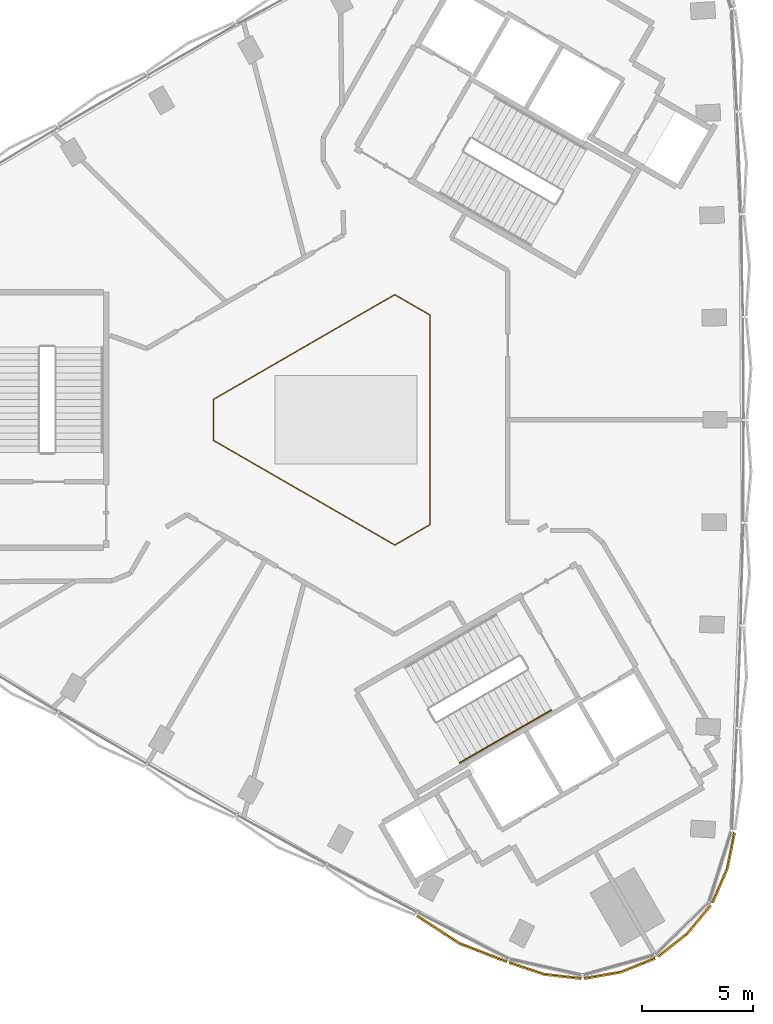
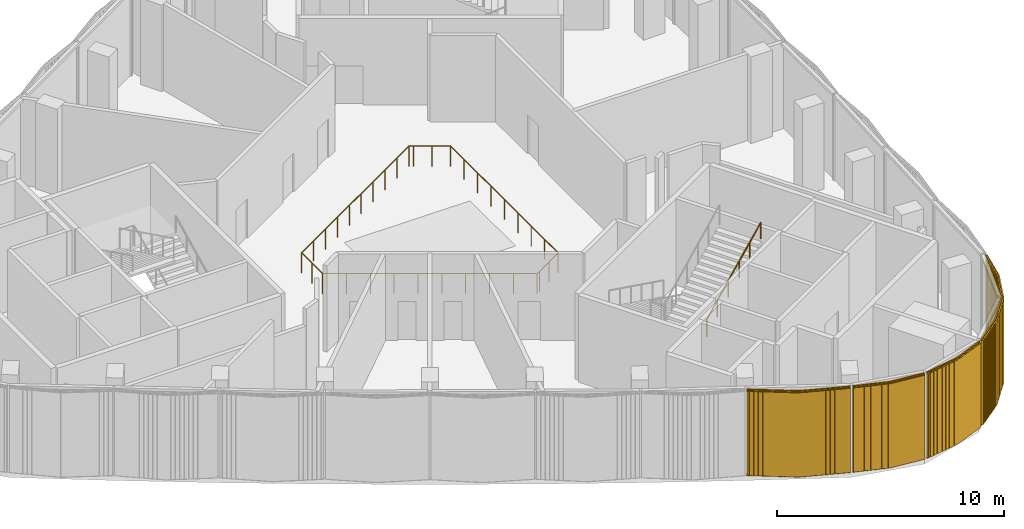
# One storey, part 12 of 15: 5 coverings, 2 railings.
"""IFC4 building model written with IfcOpenShell, lengths in metres."""

import ifcopenshell
import ifcopenshell.guid

model = None  # the IFC model being written
_history = None  # IfcOwnerHistory: only IFC2X3 demands one
_inside = {}  # id of a spatial element -> (the spatial element, [elements in it])
_under = {}  # id of a project, library or spatial element -> (it, [spatial elements below it])
_declared = {}  # id of a project -> (the project, [libraries it declares])
_typed = {}  # id of a type object -> (the type object, [elements of that type])
_made_of = {}  # id of a material, layer set ... -> (it, [elements and type objects made of it])


def new_model(schema):
    """Start an empty IFC model of exactly this schema.

    Asked for "IFC4X3", IfcOpenShell would pick the latest addendum, in which some entities
    have other attributes; the version numbers below select the first issue.
    IFC2X3 requires an IfcOwnerHistory on every rooted entity: one is made here for all.
    """
    global model, _history
    if schema == "IFC4X3":
        model = ifcopenshell.file(schema_version=(4, 3, 0, 0))
    else:
        model = ifcopenshell.file(schema=schema)
    _inside.clear()
    _under.clear()
    _declared.clear()
    _typed.clear()
    _made_of.clear()
    _history = None
    if model.schema == "IFC2X3":
        org = make("IfcOrganization", Name="unknown")
        user = make(
            "IfcPersonAndOrganization",
            ThePerson=make("IfcPerson", FamilyName="unknown"),
            TheOrganization=org,
        )
        app = make(
            "IfcApplication",
            ApplicationDeveloper=org,
            Version="unknown",
            ApplicationFullName="unknown",
            ApplicationIdentifier="unknown",
        )
        _history = make(
            "IfcOwnerHistory",
            OwningUser=user,
            OwningApplication=app,
            ChangeAction="ADDED",
            CreationDate=0,
        )
    return model


def make(cls, **values):
    """One entity of the class cls with the attributes given. An attribute that is None is left unset."""
    return model.create_entity(
        cls, **{name: value for name, value in values.items() if value is not None}
    )


def rooted(cls, **values):
    """An entity with a GlobalId (a new one), such as an element, a storey or a relation."""
    return make(cls, GlobalId=ifcopenshell.guid.new(), OwnerHistory=_history, **values)


def si_unit(unit_type, name, prefix=None):
    """IfcSIUnit, for example si_unit("LENGTHUNIT", "METRE", prefix="MILLI")."""
    return make("IfcSIUnit", UnitType=unit_type, Prefix=prefix, Name=name)


def assignment(units):
    """IfcUnitAssignment: the units of a project."""
    return None if units is None else make("IfcUnitAssignment", Units=units)


def point(xyz):
    """IfcCartesianPoint."""
    return None if xyz is None else make("IfcCartesianPoint", Coordinates=xyz)


def direction(xyz):
    """IfcDirection."""
    return None if xyz is None else make("IfcDirection", DirectionRatios=xyz)


def frame(location, z_axis=None, x_axis=None):
    """IfcAxis2Placement3D, a coordinate frame: its origin and axes. An axis left out is left unset."""
    return make(
        "IfcAxis2Placement3D",
        Location=point(location),
        Axis=direction(z_axis),
        RefDirection=direction(x_axis),
    )


def frame_2d(location, x_axis=None):
    """IfcAxis2Placement2D, a coordinate frame in the plane: its origin and x axis."""
    return make(
        "IfcAxis2Placement2D", Location=point(location), RefDirection=direction(x_axis)
    )


def origin():
    """The frame at (0, 0, 0) with its axes left unset."""
    return frame((0.0, 0.0, 0.0))


def origin_2d():
    """The frame at (0, 0) in the plane with its x axis left unset."""
    return frame_2d((0.0, 0.0))


def place(relative_to, where):
    """IfcLocalPlacement: puts the frame where relative to a parent placement (None: the world)."""
    return make(
        "IfcLocalPlacement", PlacementRelTo=relative_to, RelativePlacement=where
    )


def context(
    kind, dimensions, precision=None, world=None, true_north=None, identifier=None
):
    """IfcGeometricRepresentationContext, for example the 3D "Model" context."""
    return make(
        "IfcGeometricRepresentationContext",
        ContextIdentifier=identifier,
        ContextType=kind,
        CoordinateSpaceDimension=dimensions,
        Precision=precision,
        WorldCoordinateSystem=world,
        TrueNorth=true_north,
    )


def subcontext(parent, identifier, kind, view, scale=None):
    """IfcGeometricRepresentationSubContext, for example "Body" below "Model"."""
    return make(
        "IfcGeometricRepresentationSubContext",
        ContextIdentifier=identifier,
        ContextType=kind,
        ParentContext=parent,
        TargetScale=scale,
        TargetView=view,
    )


def project(units=None, contexts=None):
    """IfcProject with its units and contexts."""
    return rooted(
        "IfcProject",
        Name="project",
        RepresentationContexts=contexts,
        UnitsInContext=assignment(units),
    )


def spatial(cls, under=None, at=None, **own):
    """A site, building, storey or space (cls), placed at a placement, below another one or the project."""
    s = rooted(cls, ObjectPlacement=at, **own)
    if under is not None:
        _under.setdefault(under.id(), (under, []))[1].append(s)
    return s


def profile(cls, at=None, kind="AREA", **sizes):
    """A parametric profile (cls). Its sizes go by their IFC names, for example OverallWidth=200.0."""
    return make(cls, ProfileType=kind, Position=at, **sizes)


def rectangle(**sizes):
    """IfcRectangleProfileDef."""
    return profile("IfcRectangleProfileDef", **sizes)


def circle(**sizes):
    """IfcCircleProfileDef."""
    return profile("IfcCircleProfileDef", **sizes)


def extrude(swept, where, along, depth):
    """IfcExtrudedAreaSolid: the profile swept, set in the frame where, extruded along a direction by depth."""
    return make(
        "IfcExtrudedAreaSolid",
        SweptArea=swept,
        Position=where,
        ExtrudedDirection=direction(along),
        Depth=depth,
    )


def shape(context_of_items, identifier, shape_type, items):
    """IfcShapeRepresentation: the items that make up one representation, for example the "Body"."""
    return make(
        "IfcShapeRepresentation",
        ContextOfItems=context_of_items,
        RepresentationIdentifier=identifier,
        RepresentationType=shape_type,
        Items=items,
    )


def source(mapping_origin, context_of_items, identifier, shape_type, items):
    """IfcRepresentationMap: a shape defined once, which mapped items show again and again."""
    return make(
        "IfcRepresentationMap",
        MappingOrigin=mapping_origin,
        MappedRepresentation=shape(context_of_items, identifier, shape_type, items),
    )


def transform(
    local_origin,
    x_axis=None,
    y_axis=None,
    z_axis=None,
    scale=None,
    scale2=None,
    scale3=None,
    uniform=True,
):
    """IfcCartesianTransformationOperator3D, or its non-uniform kind. x_axis, y_axis, z_axis: its Axis1, 2, 3."""
    if uniform:
        return make(
            "IfcCartesianTransformationOperator3D",
            Axis1=direction(x_axis),
            Axis2=direction(y_axis),
            LocalOrigin=point(local_origin),
            Scale=scale,
            Axis3=direction(z_axis),
        )
    return make(
        "IfcCartesianTransformationOperator3DnonUniform",
        Axis1=direction(x_axis),
        Axis2=direction(y_axis),
        LocalOrigin=point(local_origin),
        Scale=scale,
        Axis3=direction(z_axis),
        Scale2=scale2,
        Scale3=scale3,
    )


def mapped(mapping_source, mapping_target):
    """IfcMappedItem: shows the shape of a source again, moved by a transform."""
    return make(
        "IfcMappedItem", MappingSource=mapping_source, MappingTarget=mapping_target
    )


def material(Name=None, Category=None):
    """IfcMaterial."""
    return make("IfcMaterial", Name=Name, Category=Category)


def made_of(thing, what):
    """Note that an element or type object is made of a material, layer set ...; save() writes the relation."""
    if what is not None:
        _made_of.setdefault(what.id(), (what, []))[1].append(thing)
    return thing


def type_object(cls, material=None, **own):
    """A type object (cls), such as IfcWallType, which elements share."""
    return made_of(rooted(cls, **own), material)


def element(
    cls,
    number,
    at=None,
    inside=None,
    cuts=None,
    type_object=None,
    material=None,
    context=None,
    identifier="Body",
    shape_type=None,
    held_by="IfcProductDefinitionShape",
    body=None,
    shapes=None,
    **own,
):
    """One element of the class cls, such as IfcWall. Its Tag is "e" and its number.

    at: its placement. inside: the storey or other place that contains it. cuts: it is an
    opening in that element (IfcRelVoidsElement). A single representation is given by context,
    identifier, shape_type and body (its items); several are given by shapes. held_by: the class
    of the entity that holds the representations. save() writes the other relations.
    """
    e = rooted(cls, Tag="e%d" % number, ObjectPlacement=at, **own)
    if body is not None:
        shapes = [shape(context, identifier, shape_type, body)]
    if shapes is not None:
        e.Representation = make(held_by, Representations=shapes)
    if inside is not None:
        _inside.setdefault(inside.id(), (inside, []))[1].append(e)
    if cuts is not None:
        rooted(
            "IfcRelVoidsElement", RelatingBuildingElement=cuts, RelatedOpeningElement=e
        )
    if type_object is not None:
        _typed.setdefault(type_object.id(), (type_object, []))[1].append(e)
    return made_of(e, material)


def aggregate(whole, parts):
    """IfcRelAggregates: a whole, such as a stair, and the parts it consists of."""
    return rooted("IfcRelAggregates", RelatingObject=whole, RelatedObjects=parts)


def save(model, path):
    """Write the relations noted so far, then the file.

    IfcRelAggregates (storeys below a building ...), IfcRelContainedInSpatialStructure (elements
    in a storey), IfcRelDefinesByType, IfcRelAssociatesMaterial and IfcRelDeclares: one each for
    every whole, place, type object, material and project.
    """
    for whole, parts in _under.values():
        aggregate(whole, parts)
    for where, things in _inside.values():
        rooted(
            "IfcRelContainedInSpatialStructure",
            RelatedElements=things,
            RelatingStructure=where,
        )
    for kind, things in _typed.values():
        rooted("IfcRelDefinesByType", RelatedObjects=things, RelatingType=kind)
    for what, things in _made_of.values():
        rooted("IfcRelAssociatesMaterial", RelatedObjects=things, RelatingMaterial=what)
    for by, libraries in _declared.values():
        rooted("IfcRelDeclares", RelatingContext=by, RelatedDefinitions=libraries)
    model.write(path)


model = new_model("IFC4")

# Units and contexts
model_context = context("Model", 3, precision=1e-05, world=origin(), true_north=direction((0.0, 1.0)))
body_context = subcontext(model_context, "Body", "Model", "MODEL_VIEW")
ifc_project = project(units=[si_unit("LENGTHUNIT", "METRE"), si_unit("AREAUNIT", "SQUARE_METRE"), si_unit("VOLUMEUNIT", "CUBIC_METRE"), si_unit("PLANEANGLEUNIT", "RADIAN"), si_unit("MASSUNIT", "GRAM", prefix="KILO")], contexts=[model_context])

# Site, building, storey
site_placement = place(None, origin())
site = spatial("IfcSite", under=ifc_project, at=site_placement, CompositionType="ELEMENT")
building_placement = place(site_placement, origin())
building = spatial("IfcBuilding", under=site, at=building_placement, Name="Tamra Quay Hotel Tower", CompositionType="ELEMENT")
storey_placement = place(building_placement, frame((0.0, 0.0, 216.39990234375)))
storey = spatial("IfcBuildingStorey", under=building, at=storey_placement, Name="L54", CompositionType="ELEMENT", Elevation=216.39990234375)

# Railings
ifc_material_1 = material(Name="Guard atrium edge 1100")
railing_type_1 = type_object("IfcRailingType", Name="Guard atrium edge 1100", PredefinedType="GUARDRAIL", material=ifc_material_1)
railing_1_placement = place(storey_placement, frame((2.381103515625, -5.553955078125, 0.0)))
element("IfcRailing", 1, at=railing_1_placement, inside=storey, type_object=railing_type_1, Name="G-A", PredefinedType="GUARDRAIL", context=body_context, shape_type="SweptSolid", body=[
    extrude(circle(Radius=0.02392578125, at=origin_2d()), frame((0.0, 0.0, 1.076171875), z_axis=(-0.87526781715, -0.483638551256, 0.0), x_axis=(0.483638551256, -0.87526781715, 0.0)), (0.0, 0.0, 1.0), 0.20703125),
    extrude(circle(Radius=0.02392578125, at=origin_2d()), frame((-0.18115234375, -0.10009765625, 1.076171875), z_axis=(-0.866104329613, 0.499863271531, 0.0), x_axis=(-0.499863271531, -0.866104329613, 0.0)), (0.0, 0.0, 1.0), 1.050537109375),
    extrude(circle(Radius=0.02392578125, at=origin_2d()), frame((-1.091064453125, 0.425048828125, 1.076171875), z_axis=(-0.866225707589, 0.499652903036, 0.0), x_axis=(-0.499652903036, -0.866225707589, 0.0)), (0.0, 0.0, 1.0), 8.40771484375),
    extrude(circle(Radius=0.02392578125, at=origin_2d()), frame((-8.3740234375, 4.6259765625, 1.076171875), z_axis=(-0.002244811457, 0.999997480408, 0.0), x_axis=(-0.999997480408, -0.002244811457, 0.0)), (0.0, 0.0, 1.0), 1.848876953125),
    extrude(circle(Radius=0.02392578125, at=origin_2d()), frame((-8.378173828125, 6.474853515625, 1.076171875), z_axis=(0.865747995487, 0.50048017774, 0.0), x_axis=(-0.50048017774, 0.865747995487, 0.0)), (0.0, 0.0, 1.0), 8.412353515625),
    extrude(circle(Radius=0.02392578125, at=origin_2d()), frame((-1.09521484375, 10.68505859375, 1.076171875), z_axis=(0.867986225161, 0.496588273049, 0.0), x_axis=(-0.496588273049, 0.867986225161, 0.0)), (0.0, 0.0, 1.0), 1.052978515625),
    extrude(circle(Radius=0.02392578125, at=origin_2d()), frame((-0.18115234375, 11.2080078125, 1.076171875), z_axis=(0.866324806281, -0.499481060725, 0.0), x_axis=(0.499481060725, 0.866324806281, 0.0)), (0.0, 0.0, 1.0), 0.204345703125),
    extrude(circle(Radius=0.02392578125, at=origin_2d()), frame((-0.004150390625, 11.10595703125, 1.076171875), z_axis=(0.86697088926, -0.498358783585, 0.0), x_axis=(0.498358783585, 0.86697088926, 0.0)), (0.0, 0.0, 1.0), 1.63330078125),
    extrude(circle(Radius=0.02392578125, at=origin_2d()), frame((1.411865234375, 10.2919921875, 1.076171875), z_axis=(0.000438313739, -0.999999903941, 0.0), x_axis=(0.999999903941, 0.000438313739, 0.0)), (0.0, 0.0, 1.0), 9.468994140625),
    extrude(circle(Radius=0.02392578125, at=origin_2d()), frame((1.416015625, 0.822998046875, 1.076171875), z_axis=(-0.864577975025, -0.502498681691, 0.0), x_axis=(0.502498681691, -0.864577975025, 0.0)), (0.0, 0.0, 1.0), 1.6376953125),
    extrude(circle(Radius=0.02099609375, at=origin_2d()), origin(), (0.0, 0.0, 1.0), 1.052001953125),
    extrude(circle(Radius=0.02099609375, at=origin_2d()), frame((-0.18115234375, -0.10009765625, 0.0)), (0.0, 0.0, 1.0), 1.052001953125),
    extrude(circle(Radius=0.02099609375, at=origin_2d()), frame((-1.091064453125, 0.425048828125, 0.0)), (0.0, 0.0, 1.0), 1.052001953125),
    extrude(circle(Radius=0.02099609375, at=origin_2d()), frame((-2.00146484375, 0.9501953125, 0.0)), (0.0, 0.0, 1.0), 1.052001953125),
    extrude(circle(Radius=0.02099609375, at=origin_2d()), frame((-2.911865234375, 1.475341796875, 0.0)), (0.0, 0.0, 1.0), 1.052001953125),
    extrude(circle(Radius=0.02099609375, at=origin_2d()), frame((-3.822265625, 2.00048828125, 0.0)), (0.0, 0.0, 1.0), 1.052001953125),
    extrude(circle(Radius=0.02099609375, at=origin_2d()), frame((-4.732421875, 2.525390625, 0.0)), (0.0, 0.0, 1.0), 1.052001953125),
    extrude(circle(Radius=0.02099609375, at=origin_2d()), frame((-5.642822265625, 3.050537109375, 0.0)), (0.0, 0.0, 1.0), 1.052001953125),
    extrude(circle(Radius=0.02099609375, at=origin_2d()), frame((-6.55322265625, 3.57568359375, 0.0)), (0.0, 0.0, 1.0), 1.052001953125),
    extrude(circle(Radius=0.02099609375, at=origin_2d()), frame((-7.463623046875, 4.100830078125, 0.0)), (0.0, 0.0, 1.0), 1.052001953125),
    extrude(circle(Radius=0.02099609375, at=origin_2d()), frame((-8.3740234375, 4.6259765625, 0.0)), (0.0, 0.0, 1.0), 1.052001953125),
    extrude(circle(Radius=0.02099609375, at=origin_2d()), frame((-8.3759765625, 5.55029296875, 0.0)), (0.0, 0.0, 1.0), 1.052001953125),
    extrude(circle(Radius=0.02099609375, at=origin_2d()), frame((-8.378173828125, 6.474853515625, 0.0)), (0.0, 0.0, 1.0), 1.052001953125),
    extrude(circle(Radius=0.02099609375, at=origin_2d()), frame((-7.4677734375, 7.001220703125, 0.0)), (0.0, 0.0, 1.0), 1.052001953125),
    extrude(circle(Radius=0.02099609375, at=origin_2d()), frame((-6.557373046875, 7.52734375, 0.0)), (0.0, 0.0, 1.0), 1.052001953125),
    extrude(circle(Radius=0.02099609375, at=origin_2d()), frame((-5.64697265625, 8.0537109375, 0.0)), (0.0, 0.0, 1.0), 1.052001953125),
    extrude(circle(Radius=0.02099609375, at=origin_2d()), frame((-4.73681640625, 8.580078125, 0.0)), (0.0, 0.0, 1.0), 1.052001953125),
    extrude(circle(Radius=0.02099609375, at=origin_2d()), frame((-3.826416015625, 9.106201171875, 0.0)), (0.0, 0.0, 1.0), 1.052001953125),
    extrude(circle(Radius=0.02099609375, at=origin_2d()), frame((-2.916015625, 9.632568359375, 0.0)), (0.0, 0.0, 1.0), 1.052001953125),
    extrude(circle(Radius=0.02099609375, at=origin_2d()), frame((-2.005615234375, 10.15869140625, 0.0)), (0.0, 0.0, 1.0), 1.052001953125),
    extrude(circle(Radius=0.02099609375, at=origin_2d()), frame((-1.09521484375, 10.68505859375, 0.0)), (0.0, 0.0, 1.0), 1.052001953125),
    extrude(circle(Radius=0.02099609375, at=origin_2d()), frame((-0.18115234375, 11.2080078125, 0.0)), (0.0, 0.0, 1.0), 1.052001953125),
    extrude(circle(Radius=0.02099609375, at=origin_2d()), frame((-0.004150390625, 11.10595703125, 0.0)), (0.0, 0.0, 1.0), 1.052001953125),
    extrude(circle(Radius=0.02099609375, at=origin_2d()), frame((0.703857421875, 10.698974609375, 0.0)), (0.0, 0.0, 1.0), 1.052001953125),
    extrude(circle(Radius=0.02099609375, at=origin_2d()), frame((1.411865234375, 10.2919921875, 0.0)), (0.0, 0.0, 1.0), 1.052001953125),
    extrude(circle(Radius=0.02099609375, at=origin_2d()), frame((1.412353515625, 9.1083984375, 0.0)), (0.0, 0.0, 1.0), 1.052001953125),
    extrude(circle(Radius=0.02099609375, at=origin_2d()), frame((1.412841796875, 7.9248046875, 0.0)), (0.0, 0.0, 1.0), 1.052001953125),
    extrude(circle(Radius=0.02099609375, at=origin_2d()), frame((1.413330078125, 6.7412109375, 0.0)), (0.0, 0.0, 1.0), 1.052001953125),
    extrude(circle(Radius=0.02099609375, at=origin_2d()), frame((1.4140625, 5.5576171875, 0.0)), (0.0, 0.0, 1.0), 1.052001953125),
    extrude(circle(Radius=0.02099609375, at=origin_2d()), frame((1.41455078125, 4.373779296875, 0.0)), (0.0, 0.0, 1.0), 1.052001953125),
    extrude(circle(Radius=0.02099609375, at=origin_2d()), frame((1.4150390625, 3.190185546875, 0.0)), (0.0, 0.0, 1.0), 1.052001953125),
    extrude(circle(Radius=0.02099609375, at=origin_2d()), frame((1.41552734375, 2.006591796875, 0.0)), (0.0, 0.0, 1.0), 1.052001953125),
    extrude(circle(Radius=0.02099609375, at=origin_2d()), frame((1.416015625, 0.822998046875, 0.0)), (0.0, 0.0, 1.0), 1.052001953125),
    extrude(circle(Radius=0.02099609375, at=origin_2d()), frame((0.7080078125, 0.41162109375, 0.0)), (0.0, 0.0, 1.0), 1.052001953125),
])
ifc_material_2 = material(Name="Stair handrail 900")
railing_type_2 = type_object("IfcRailingType", Name="Stair handrail 900", PredefinedType="HANDRAIL", material=ifc_material_2)
railing_2_placement = place(storey_placement, frame((5.13427734375, -15.500732421875, 2.647216796875)))
element("IfcRailing", 2, at=railing_2_placement, inside=storey, type_object=railing_type_2, Name="HR", PredefinedType="HANDRAIL", context=body_context, shape_type="SweptSolid", body=[
    extrude(circle(Radius=0.02392578125, at=origin_2d()), frame((0.0, 0.0, 0.8759765625), z_axis=(0.777138259885, 0.4486519465, 0.441324773749), x_axis=(-0.49997573074, 0.866039415195, 0.0)), (0.0, 0.0, 1.0), 5.331298828125),
    extrude(circle(Radius=0.02099609375, at=origin_2d()), origin(), (0.0, 0.0, 1.0), 0.851806640625),
    extrude(circle(Radius=0.02099609375, at=origin_2d()), frame((0.82861328125, 0.478271484375, 0.470458984375)), (0.0, 0.0, 1.0), 0.851806640625),
    extrude(circle(Radius=0.02099609375, at=origin_2d()), frame((1.6572265625, 0.956787109375, 0.941162109375)), (0.0, 0.0, 1.0), 0.851806640625),
    extrude(circle(Radius=0.02099609375, at=origin_2d()), frame((2.48583984375, 1.43505859375, 1.41162109375)), (0.0, 0.0, 1.0), 0.851806640625),
    extrude(circle(Radius=0.02099609375, at=origin_2d()), frame((3.314453125, 1.91357421875, 1.88232421875)), (0.0, 0.0, 1.0), 0.851806640625),
    extrude(circle(Radius=0.02099609375, at=origin_2d()), frame((4.14306640625, 2.391845703125, 2.352783203125)), (0.0, 0.0, 1.0), 0.851806640625),
])

# Coverings
ifc_material_3 = material(Name="Terracotta baguette extruded", Category="masonry")
covering_type_1 = type_object("IfcCoveringType", Name="BAGUETTE SCREEN CORNER-SHALLOW H4650", PredefinedType="USERDEFINED", material=ifc_material_3)
shared_shape_1 = source(origin(), body_context, "Body", "SweptSolid", [
    extrude(rectangle(XDim=1.671630859375, YDim=0.06005859375, at=frame_2d((0.8359375, 0.030029296875))), frame((-1.668701171875, -0.0576171875, -0.1201171875), z_axis=(0.0, 0.0, 1.0), x_axis=(0.994521895368, -0.104528463268, 0.0)), (0.0, 0.0, 1.0), 0.1201171875),
    extrude(rectangle(XDim=1.671630859375, YDim=0.06005859375, at=frame_2d((0.8359375, 0.030029296875))), frame((-1.668701171875, -0.0576171875, -4.64990234375), z_axis=(0.0, 0.0, 1.0), x_axis=(0.994521895368, -0.104528463268, 0.0)), (0.0, 0.0, 1.0), 0.1201171875),
    extrude(rectangle(XDim=0.094970703125, YDim=0.10009765625, at=frame_2d((0.04736328125, 0.050048828125))), frame((-1.6611328125, -0.133056640625, -4.590087890625)), (0.0, 0.0, 1.0), 4.530029296875),
    extrude(rectangle(XDim=0.094970703125, YDim=0.10009765625, at=frame_2d((0.04736328125, 0.050048828125))), frame((-1.563232421875, -0.143310546875, -4.590087890625)), (0.0, 0.0, 1.0), 4.530029296875),
    extrude(rectangle(XDim=0.094970703125, YDim=0.10009765625, at=frame_2d((0.04736328125, 0.050048828125))), frame((-1.465576171875, -0.15380859375, -4.590087890625)), (0.0, 0.0, 1.0), 4.530029296875),
    extrude(rectangle(XDim=0.094970703125, YDim=0.10009765625, at=frame_2d((0.04736328125, 0.050048828125))), frame((-1.36767578125, -0.1640625, -4.590087890625)), (0.0, 0.0, 1.0), 4.530029296875),
    extrude(rectangle(XDim=0.094970703125, YDim=0.10009765625, at=frame_2d((0.04736328125, 0.050048828125))), frame((-1.27001953125, -0.17431640625, -4.590087890625)), (0.0, 0.0, 1.0), 4.530029296875),
    extrude(rectangle(XDim=0.094970703125, YDim=0.10009765625, at=frame_2d((0.04736328125, 0.050048828125))), frame((-1.172119140625, -0.1845703125, -4.590087890625)), (0.0, 0.0, 1.0), 4.530029296875),
    extrude(rectangle(XDim=0.094970703125, YDim=0.10009765625, at=frame_2d((0.04736328125, 0.050048828125))), frame((-1.07421875, -0.19482421875, -4.590087890625)), (0.0, 0.0, 1.0), 4.530029296875),
    extrude(rectangle(XDim=0.094970703125, YDim=0.10009765625, at=frame_2d((0.04736328125, 0.050048828125))), frame((-0.9765625, -0.205078125, -4.590087890625)), (0.0, 0.0, 1.0), 4.530029296875),
    extrude(rectangle(XDim=0.094970703125, YDim=0.10009765625, at=frame_2d((0.04736328125, 0.050048828125))), frame((-0.878662109375, -0.21533203125, -4.590087890625)), (0.0, 0.0, 1.0), 4.530029296875),
    extrude(rectangle(XDim=0.094970703125, YDim=0.10009765625, at=frame_2d((0.04736328125, 0.050048828125))), frame((-0.781005859375, -0.2255859375, -4.590087890625)), (0.0, 0.0, 1.0), 4.530029296875),
    extrude(rectangle(XDim=0.094970703125, YDim=0.10009765625, at=frame_2d((0.04736328125, 0.050048828125))), frame((-0.68310546875, -0.23583984375, -4.590087890625)), (0.0, 0.0, 1.0), 4.530029296875),
    extrude(rectangle(XDim=0.094970703125, YDim=0.10009765625, at=frame_2d((0.04736328125, 0.050048828125))), frame((-0.58544921875, -0.24609375, -4.590087890625)), (0.0, 0.0, 1.0), 4.530029296875),
    extrude(rectangle(XDim=0.094970703125, YDim=0.10009765625, at=frame_2d((0.04736328125, 0.050048828125))), frame((-0.487548828125, -0.256591796875, -4.590087890625)), (0.0, 0.0, 1.0), 4.530029296875),
    extrude(rectangle(XDim=0.094970703125, YDim=0.10009765625, at=frame_2d((0.04736328125, 0.050048828125))), frame((-0.389892578125, -0.266845703125, -4.590087890625)), (0.0, 0.0, 1.0), 4.530029296875),
    extrude(rectangle(XDim=0.094970703125, YDim=0.10009765625, at=frame_2d((0.04736328125, 0.050048828125))), frame((-0.2919921875, -0.277099609375, -4.590087890625)), (0.0, 0.0, 1.0), 4.530029296875),
    extrude(rectangle(XDim=0.094970703125, YDim=0.10009765625, at=frame_2d((0.04736328125, 0.050048828125))), frame((-0.194091796875, -0.287353515625, -4.590087890625)), (0.0, 0.0, 1.0), 4.530029296875),
    extrude(rectangle(XDim=0.094970703125, YDim=0.10009765625, at=frame_2d((0.04736328125, 0.050048828125))), frame((-0.096435546875, -0.297607421875, -4.590087890625)), (0.0, 0.0, 1.0), 4.530029296875),
    extrude(rectangle(XDim=1.671630859375, YDim=0.06005859375, at=frame_2d((0.8359375, 0.030029296875))), frame((0.00634765625, -0.232421875, -0.1201171875), z_axis=(0.0, 0.0, 1.0), x_axis=(0.994521895368, 0.104528463268, 0.0)), (0.0, 0.0, 1.0), 0.1201171875),
    extrude(rectangle(XDim=1.671630859375, YDim=0.06005859375, at=frame_2d((0.8359375, 0.030029296875))), frame((0.00634765625, -0.232421875, -4.64990234375), z_axis=(0.0, 0.0, 1.0), x_axis=(0.994521895368, 0.104528463268, 0.0)), (0.0, 0.0, 1.0), 0.1201171875),
    extrude(rectangle(XDim=0.094970703125, YDim=0.10009765625, at=frame_2d((0.04736328125, 0.050048828125))), frame((0.00146484375, -0.297607421875, -4.590087890625)), (0.0, 0.0, 1.0), 4.530029296875),
    extrude(rectangle(XDim=0.094970703125, YDim=0.10009765625, at=frame_2d((0.04736328125, 0.050048828125))), frame((0.09912109375, -0.287353515625, -4.590087890625)), (0.0, 0.0, 1.0), 4.530029296875),
    extrude(rectangle(XDim=0.094970703125, YDim=0.10009765625, at=frame_2d((0.04736328125, 0.050048828125))), frame((0.197021484375, -0.277099609375, -4.590087890625)), (0.0, 0.0, 1.0), 4.530029296875),
    extrude(rectangle(XDim=0.094970703125, YDim=0.10009765625, at=frame_2d((0.04736328125, 0.050048828125))), frame((0.294677734375, -0.266845703125, -4.590087890625)), (0.0, 0.0, 1.0), 4.530029296875),
    extrude(rectangle(XDim=0.094970703125, YDim=0.10009765625, at=frame_2d((0.04736328125, 0.050048828125))), frame((0.392578125, -0.256591796875, -4.590087890625)), (0.0, 0.0, 1.0), 4.530029296875),
    extrude(rectangle(XDim=0.094970703125, YDim=0.10009765625, at=frame_2d((0.04736328125, 0.050048828125))), frame((0.490478515625, -0.24609375, -4.590087890625)), (0.0, 0.0, 1.0), 4.530029296875),
    extrude(rectangle(XDim=0.094970703125, YDim=0.10009765625, at=frame_2d((0.04736328125, 0.050048828125))), frame((0.588134765625, -0.23583984375, -4.590087890625)), (0.0, 0.0, 1.0), 4.530029296875),
    extrude(rectangle(XDim=0.094970703125, YDim=0.10009765625, at=frame_2d((0.04736328125, 0.050048828125))), frame((0.68603515625, -0.2255859375, -4.590087890625)), (0.0, 0.0, 1.0), 4.530029296875),
    extrude(rectangle(XDim=0.094970703125, YDim=0.10009765625, at=frame_2d((0.04736328125, 0.050048828125))), frame((0.78369140625, -0.21533203125, -4.590087890625)), (0.0, 0.0, 1.0), 4.530029296875),
    extrude(rectangle(XDim=0.094970703125, YDim=0.10009765625, at=frame_2d((0.04736328125, 0.050048828125))), frame((0.881591796875, -0.205078125, -4.590087890625)), (0.0, 0.0, 1.0), 4.530029296875),
    extrude(rectangle(XDim=0.094970703125, YDim=0.10009765625, at=frame_2d((0.04736328125, 0.050048828125))), frame((0.979248046875, -0.19482421875, -4.590087890625)), (0.0, 0.0, 1.0), 4.530029296875),
    extrude(rectangle(XDim=0.094970703125, YDim=0.10009765625, at=frame_2d((0.04736328125, 0.050048828125))), frame((1.0771484375, -0.1845703125, -4.590087890625)), (0.0, 0.0, 1.0), 4.530029296875),
    extrude(rectangle(XDim=0.094970703125, YDim=0.10009765625, at=frame_2d((0.04736328125, 0.050048828125))), frame((1.175048828125, -0.17431640625, -4.590087890625)), (0.0, 0.0, 1.0), 4.530029296875),
    extrude(rectangle(XDim=0.094970703125, YDim=0.10009765625, at=frame_2d((0.04736328125, 0.050048828125))), frame((1.272705078125, -0.1640625, -4.590087890625)), (0.0, 0.0, 1.0), 4.530029296875),
    extrude(rectangle(XDim=0.094970703125, YDim=0.10009765625, at=frame_2d((0.04736328125, 0.050048828125))), frame((1.37060546875, -0.15380859375, -4.590087890625)), (0.0, 0.0, 1.0), 4.530029296875),
    extrude(rectangle(XDim=0.094970703125, YDim=0.10009765625, at=frame_2d((0.04736328125, 0.050048828125))), frame((1.46826171875, -0.143310546875, -4.590087890625)), (0.0, 0.0, 1.0), 4.530029296875),
    extrude(rectangle(XDim=0.094970703125, YDim=0.10009765625, at=frame_2d((0.04736328125, 0.050048828125))), frame((1.566162109375, -0.133056640625, -4.590087890625)), (0.0, 0.0, 1.0), 4.530029296875),
])
for number, where, z_axis, x_axis, name in (
    (3, (9.010009765625, -24.8212890625, 4.650146484375), (0.0, 0.0, 1.0), (0.976340739392, -0.216237740934, 0.0), "Baguette screen L54.SW.c08"),
    (4, (12.346923828125, -24.7236328125, 4.650146484375), (0.0, 0.0, 1.0), (0.962040617177, 0.272906304254, 0.0), "Baguette screen L54.SW.c09"),
    (5, (15.23779296875, -23.054443359375, 4.650146484375), (0.0, 0.0, 1.0), (0.717364100925, 0.696698461821, 0.0), "Baguette screen L54.SW.c10"),
    (6, (16.99072265625, -20.213623046875, 4.650146484375), (0.0, 0.0, 1.0), (0.30090299279, 0.95365475353, 0.0), "Baguette screen L54.SW.c11"),
):
    element("IfcCovering", number, at=place(storey_placement, frame(where, z_axis=z_axis, x_axis=x_axis)), inside=storey, type_object=covering_type_1, Name=name, ObjectType="BAGUETTE SCREEN", PredefinedType="USERDEFINED", context=body_context, shape_type="MappedRepresentation", body=[
        mapped(shared_shape_1, transform((0.0, 0.0, 0.0), scale=1.0)),
    ])
covering_type_2 = type_object("IfcCoveringType", Name="BAGUETTE SCREEN SW-SHALLOW H4650", PredefinedType="USERDEFINED", material=ifc_material_3)
shared_shape_2 = source(origin(), body_context, "Body", "SweptSolid", [
    extrude(rectangle(XDim=2.295166015625, YDim=0.06005859375, at=frame_2d((1.1474609375, 0.030029296875))), frame((-2.288818359375, -0.0576171875, -0.1201171875), z_axis=(0.0, 0.0, 1.0), x_axis=(0.994521895368, -0.104528463268, 0.0)), (0.0, 0.0, 1.0), 0.1201171875),
    extrude(rectangle(XDim=2.295166015625, YDim=0.06005859375, at=frame_2d((1.1474609375, 0.030029296875))), frame((-2.288818359375, -0.0576171875, -4.64990234375), z_axis=(0.0, 0.0, 1.0), x_axis=(0.994521895368, -0.104528463268, 0.0)), (0.0, 0.0, 1.0), 0.1201171875),
    extrude(rectangle(XDim=0.094970703125, YDim=0.10009765625, at=frame_2d((0.04736328125, 0.050048828125))), frame((-2.2802734375, -0.13330078125, -4.590087890625)), (0.0, 0.0, 1.0), 4.530029296875),
    extrude(rectangle(XDim=0.094970703125, YDim=0.10009765625, at=frame_2d((0.04736328125, 0.050048828125))), frame((-2.18115234375, -0.1435546875, -4.590087890625)), (0.0, 0.0, 1.0), 4.530029296875),
    extrude(rectangle(XDim=0.094970703125, YDim=0.10009765625, at=frame_2d((0.04736328125, 0.050048828125))), frame((-2.081787109375, -0.154052734375, -4.590087890625)), (0.0, 0.0, 1.0), 4.530029296875),
    extrude(rectangle(XDim=0.094970703125, YDim=0.10009765625, at=frame_2d((0.04736328125, 0.050048828125))), frame((-1.982666015625, -0.16455078125, -4.590087890625)), (0.0, 0.0, 1.0), 4.530029296875),
    extrude(rectangle(XDim=0.094970703125, YDim=0.10009765625, at=frame_2d((0.04736328125, 0.050048828125))), frame((-1.88330078125, -0.175048828125, -4.590087890625)), (0.0, 0.0, 1.0), 4.530029296875),
    extrude(rectangle(XDim=0.094970703125, YDim=0.10009765625, at=frame_2d((0.04736328125, 0.050048828125))), frame((-1.7841796875, -0.185302734375, -4.590087890625)), (0.0, 0.0, 1.0), 4.530029296875),
    extrude(rectangle(XDim=0.094970703125, YDim=0.10009765625, at=frame_2d((0.04736328125, 0.050048828125))), frame((-1.68505859375, -0.19580078125, -4.590087890625)), (0.0, 0.0, 1.0), 4.530029296875),
    extrude(rectangle(XDim=0.094970703125, YDim=0.10009765625, at=frame_2d((0.04736328125, 0.050048828125))), frame((-1.585693359375, -0.206298828125, -4.590087890625)), (0.0, 0.0, 1.0), 4.530029296875),
    extrude(rectangle(XDim=0.094970703125, YDim=0.10009765625, at=frame_2d((0.04736328125, 0.050048828125))), frame((-1.486572265625, -0.216552734375, -4.590087890625)), (0.0, 0.0, 1.0), 4.530029296875),
    extrude(rectangle(XDim=0.094970703125, YDim=0.10009765625, at=frame_2d((0.04736328125, 0.050048828125))), frame((-1.38720703125, -0.22705078125, -4.590087890625)), (0.0, 0.0, 1.0), 4.530029296875),
    extrude(rectangle(XDim=0.094970703125, YDim=0.10009765625, at=frame_2d((0.04736328125, 0.050048828125))), frame((-1.2880859375, -0.237548828125, -4.590087890625)), (0.0, 0.0, 1.0), 4.530029296875),
    extrude(rectangle(XDim=0.094970703125, YDim=0.10009765625, at=frame_2d((0.04736328125, 0.050048828125))), frame((-1.188720703125, -0.248046875, -4.590087890625)), (0.0, 0.0, 1.0), 4.530029296875),
    extrude(rectangle(XDim=0.094970703125, YDim=0.10009765625, at=frame_2d((0.04736328125, 0.050048828125))), frame((-1.089599609375, -0.25830078125, -4.590087890625)), (0.0, 0.0, 1.0), 4.530029296875),
    extrude(rectangle(XDim=0.094970703125, YDim=0.10009765625, at=frame_2d((0.04736328125, 0.050048828125))), frame((-0.990234375, -0.268798828125, -4.590087890625)), (0.0, 0.0, 1.0), 4.530029296875),
    extrude(rectangle(XDim=0.094970703125, YDim=0.10009765625, at=frame_2d((0.04736328125, 0.050048828125))), frame((-0.89111328125, -0.279296875, -4.590087890625)), (0.0, 0.0, 1.0), 4.530029296875),
    extrude(rectangle(XDim=0.094970703125, YDim=0.10009765625, at=frame_2d((0.04736328125, 0.050048828125))), frame((-0.791748046875, -0.28955078125, -4.590087890625)), (0.0, 0.0, 1.0), 4.530029296875),
    extrude(rectangle(XDim=0.094970703125, YDim=0.10009765625, at=frame_2d((0.04736328125, 0.050048828125))), frame((-0.692626953125, -0.300048828125, -4.590087890625)), (0.0, 0.0, 1.0), 4.530029296875),
    extrude(rectangle(XDim=0.094970703125, YDim=0.10009765625, at=frame_2d((0.04736328125, 0.050048828125))), frame((-0.59326171875, -0.310546875, -4.590087890625)), (0.0, 0.0, 1.0), 4.530029296875),
    extrude(rectangle(XDim=0.094970703125, YDim=0.10009765625, at=frame_2d((0.04736328125, 0.050048828125))), frame((-0.494140625, -0.321044921875, -4.590087890625)), (0.0, 0.0, 1.0), 4.530029296875),
    extrude(rectangle(XDim=0.094970703125, YDim=0.10009765625, at=frame_2d((0.04736328125, 0.050048828125))), frame((-0.394775390625, -0.331298828125, -4.590087890625)), (0.0, 0.0, 1.0), 4.530029296875),
    extrude(rectangle(XDim=0.094970703125, YDim=0.10009765625, at=frame_2d((0.04736328125, 0.050048828125))), frame((-0.295654296875, -0.341796875, -4.590087890625)), (0.0, 0.0, 1.0), 4.530029296875),
    extrude(rectangle(XDim=0.094970703125, YDim=0.10009765625, at=frame_2d((0.04736328125, 0.050048828125))), frame((-0.1962890625, -0.352294921875, -4.590087890625)), (0.0, 0.0, 1.0), 4.530029296875),
    extrude(rectangle(XDim=0.094970703125, YDim=0.10009765625, at=frame_2d((0.04736328125, 0.050048828125))), frame((-0.09716796875, -0.36279296875, -4.590087890625)), (0.0, 0.0, 1.0), 4.530029296875),
    extrude(rectangle(XDim=2.295166015625, YDim=0.06005859375, at=frame_2d((1.1474609375, 0.030029296875))), frame((0.00634765625, -0.297607421875, -0.1201171875), z_axis=(0.0, 0.0, 1.0), x_axis=(0.994521895368, 0.104528463268, 0.0)), (0.0, 0.0, 1.0), 0.1201171875),
    extrude(rectangle(XDim=2.295166015625, YDim=0.06005859375, at=frame_2d((1.1474609375, 0.030029296875))), frame((0.00634765625, -0.297607421875, -4.64990234375), z_axis=(0.0, 0.0, 1.0), x_axis=(0.994521895368, 0.104528463268, 0.0)), (0.0, 0.0, 1.0), 0.1201171875),
    extrude(rectangle(XDim=0.094970703125, YDim=0.10009765625, at=frame_2d((0.04736328125, 0.050048828125))), frame((0.002197265625, -0.36279296875, -4.590087890625)), (0.0, 0.0, 1.0), 4.530029296875),
    extrude(rectangle(XDim=0.094970703125, YDim=0.10009765625, at=frame_2d((0.04736328125, 0.050048828125))), frame((0.101318359375, -0.352294921875, -4.590087890625)), (0.0, 0.0, 1.0), 4.530029296875),
    extrude(rectangle(XDim=0.094970703125, YDim=0.10009765625, at=frame_2d((0.04736328125, 0.050048828125))), frame((0.20068359375, -0.341796875, -4.590087890625)), (0.0, 0.0, 1.0), 4.530029296875),
    extrude(rectangle(XDim=0.094970703125, YDim=0.10009765625, at=frame_2d((0.04736328125, 0.050048828125))), frame((0.2998046875, -0.331298828125, -4.590087890625)), (0.0, 0.0, 1.0), 4.530029296875),
    extrude(rectangle(XDim=0.094970703125, YDim=0.10009765625, at=frame_2d((0.04736328125, 0.050048828125))), frame((0.399169921875, -0.321044921875, -4.590087890625)), (0.0, 0.0, 1.0), 4.530029296875),
    extrude(rectangle(XDim=0.094970703125, YDim=0.10009765625, at=frame_2d((0.04736328125, 0.050048828125))), frame((0.498291015625, -0.310546875, -4.590087890625)), (0.0, 0.0, 1.0), 4.530029296875),
    extrude(rectangle(XDim=0.094970703125, YDim=0.10009765625, at=frame_2d((0.04736328125, 0.050048828125))), frame((0.59765625, -0.300048828125, -4.590087890625)), (0.0, 0.0, 1.0), 4.530029296875),
    extrude(rectangle(XDim=0.094970703125, YDim=0.10009765625, at=frame_2d((0.04736328125, 0.050048828125))), frame((0.69677734375, -0.28955078125, -4.590087890625)), (0.0, 0.0, 1.0), 4.530029296875),
    extrude(rectangle(XDim=0.094970703125, YDim=0.10009765625, at=frame_2d((0.04736328125, 0.050048828125))), frame((0.796142578125, -0.279296875, -4.590087890625)), (0.0, 0.0, 1.0), 4.530029296875),
    extrude(rectangle(XDim=0.094970703125, YDim=0.10009765625, at=frame_2d((0.04736328125, 0.050048828125))), frame((0.895263671875, -0.268798828125, -4.590087890625)), (0.0, 0.0, 1.0), 4.530029296875),
    extrude(rectangle(XDim=0.094970703125, YDim=0.10009765625, at=frame_2d((0.04736328125, 0.050048828125))), frame((0.99462890625, -0.25830078125, -4.590087890625)), (0.0, 0.0, 1.0), 4.530029296875),
    extrude(rectangle(XDim=0.094970703125, YDim=0.10009765625, at=frame_2d((0.04736328125, 0.050048828125))), frame((1.09375, -0.248046875, -4.590087890625)), (0.0, 0.0, 1.0), 4.530029296875),
    extrude(rectangle(XDim=0.094970703125, YDim=0.10009765625, at=frame_2d((0.04736328125, 0.050048828125))), frame((1.19287109375, -0.237548828125, -4.590087890625)), (0.0, 0.0, 1.0), 4.530029296875),
    extrude(rectangle(XDim=0.094970703125, YDim=0.10009765625, at=frame_2d((0.04736328125, 0.050048828125))), frame((1.292236328125, -0.22705078125, -4.590087890625)), (0.0, 0.0, 1.0), 4.530029296875),
    extrude(rectangle(XDim=0.094970703125, YDim=0.10009765625, at=frame_2d((0.04736328125, 0.050048828125))), frame((1.391357421875, -0.216552734375, -4.590087890625)), (0.0, 0.0, 1.0), 4.530029296875),
    extrude(rectangle(XDim=0.094970703125, YDim=0.10009765625, at=frame_2d((0.04736328125, 0.050048828125))), frame((1.49072265625, -0.206298828125, -4.590087890625)), (0.0, 0.0, 1.0), 4.530029296875),
    extrude(rectangle(XDim=0.094970703125, YDim=0.10009765625, at=frame_2d((0.04736328125, 0.050048828125))), frame((1.58984375, -0.19580078125, -4.590087890625)), (0.0, 0.0, 1.0), 4.530029296875),
    extrude(rectangle(XDim=0.094970703125, YDim=0.10009765625, at=frame_2d((0.04736328125, 0.050048828125))), frame((1.689208984375, -0.185302734375, -4.590087890625)), (0.0, 0.0, 1.0), 4.530029296875),
    extrude(rectangle(XDim=0.094970703125, YDim=0.10009765625, at=frame_2d((0.04736328125, 0.050048828125))), frame((1.788330078125, -0.175048828125, -4.590087890625)), (0.0, 0.0, 1.0), 4.530029296875),
    extrude(rectangle(XDim=0.094970703125, YDim=0.10009765625, at=frame_2d((0.04736328125, 0.050048828125))), frame((1.8876953125, -0.16455078125, -4.590087890625)), (0.0, 0.0, 1.0), 4.530029296875),
    extrude(rectangle(XDim=0.094970703125, YDim=0.10009765625, at=frame_2d((0.04736328125, 0.050048828125))), frame((1.98681640625, -0.154052734375, -4.590087890625)), (0.0, 0.0, 1.0), 4.530029296875),
    extrude(rectangle(XDim=0.094970703125, YDim=0.10009765625, at=frame_2d((0.04736328125, 0.050048828125))), frame((2.086181640625, -0.1435546875, -4.590087890625)), (0.0, 0.0, 1.0), 4.530029296875),
    extrude(rectangle(XDim=0.094970703125, YDim=0.10009765625, at=frame_2d((0.04736328125, 0.050048828125))), frame((2.185302734375, -0.13330078125, -4.590087890625)), (0.0, 0.0, 1.0), 4.530029296875),
])
covering_placement = place(storey_placement, frame((5.261962890625, -23.39013671875, 4.650146484375), z_axis=(0.0, 0.0, 1.0), x_axis=(0.89058226205, -0.454822201, 0.0)))
element("IfcCovering", 7, at=covering_placement, inside=storey, type_object=covering_type_2, Name="Baguette screen L54.SW.f07", ObjectType="BAGUETTE SCREEN", PredefinedType="USERDEFINED", context=body_context, shape_type="MappedRepresentation", body=[
    mapped(shared_shape_2, transform((0.0, 0.0, 0.0), scale=1.0)),
])

save(model, "model.ifc")
